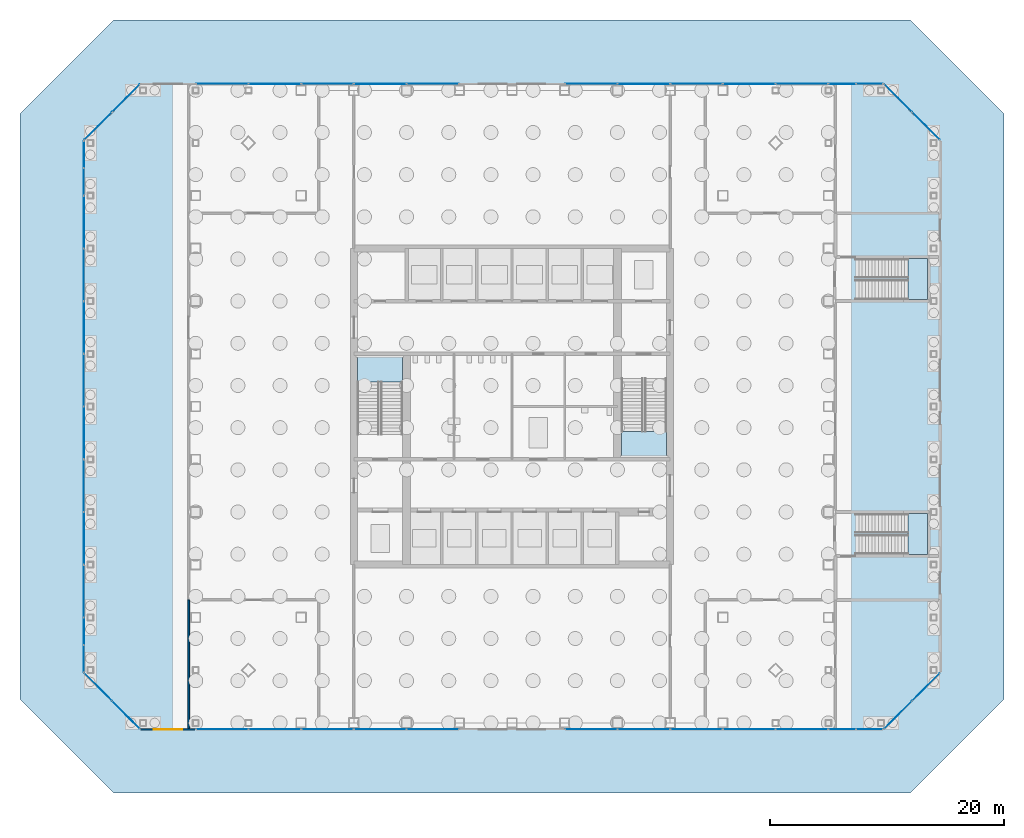
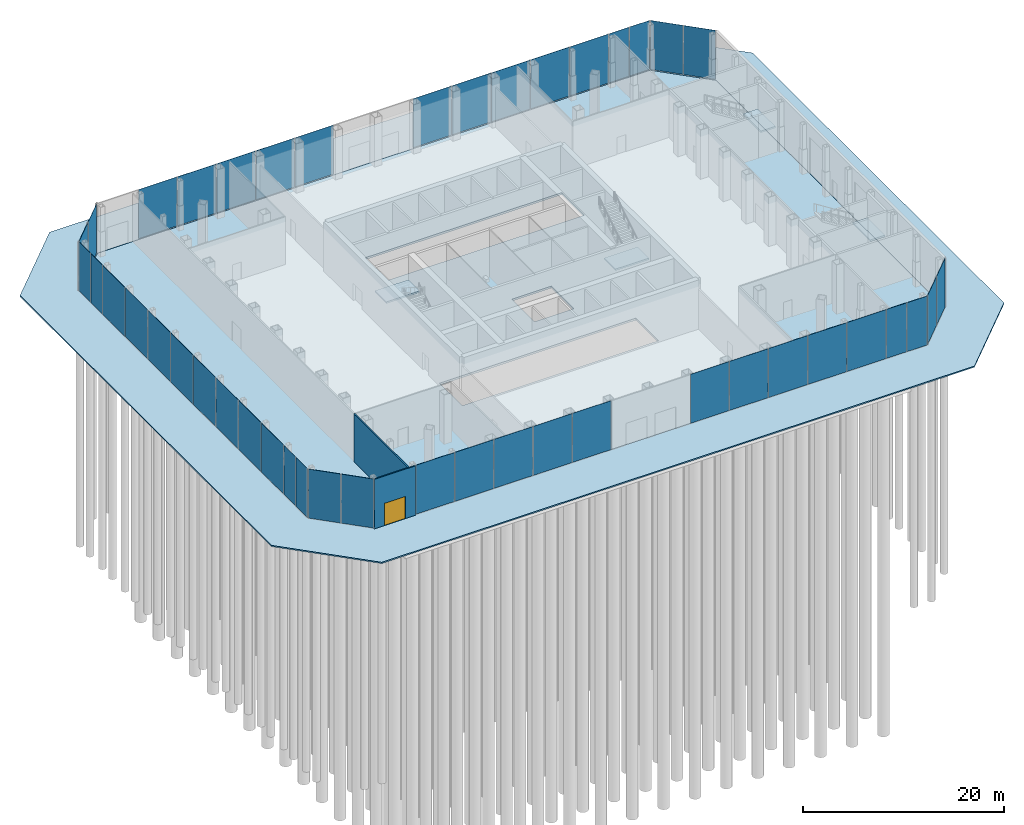
# One storey, part 16 of 24: 44 plates, 6 slabs, 2 walls, 1 door, 1 opening, 13 elements without a shape of their own.
"""IFC4 building model written with IfcOpenShell, lengths in metres."""

from ifc_helpers import new_model, si_unit, direction, frame, frame_2d, origin, origin_2d, place, context, subcontext, project, spatial, polyline, rectangle, outline, extrude, material, layer, layer_set, type_object, element, fill, aggregate, save


model = new_model("IFC4")

# Units and contexts
model_context = context("Model", 3, precision=1e-05, world=origin(), true_north=direction((0.0, 1.0)))
body_context = subcontext(model_context, "Body", "Model", "MODEL_VIEW")
ifc_project = project(units=[si_unit("LENGTHUNIT", "METRE"), si_unit("AREAUNIT", "SQUARE_METRE"), si_unit("VOLUMEUNIT", "CUBIC_METRE"), si_unit("PLANEANGLEUNIT", "RADIAN"), si_unit("MASSUNIT", "GRAM", prefix="KILO")], contexts=[model_context])

# Site, building, storey
site_placement = place(None, origin())
site = spatial("IfcSite", under=ifc_project, at=site_placement, CompositionType="ELEMENT")
building_placement = place(site_placement, origin())
building = spatial("IfcBuilding", under=site, at=building_placement, Name="Corais Broadcast Tower", CompositionType="ELEMENT")
storey_placement = place(building_placement, origin())
storey = spatial("IfcBuildingStorey", under=building, at=storey_placement, Name="L00", CompositionType="ELEMENT", Elevation=0.0)

# Curtain wall, plate
ifc_material_1 = material(Name="Aluminium and glass", Category="aluminium")
curtain_wall_type = type_object("IfcCurtainWallType", Name="Storefront curtain wall CW5", PredefinedType="NOTDEFINED", material=ifc_material_1)
curtain_wall_1_placement = place(storey_placement, origin())
curtain_wall_1 = element("IfcCurtainWall", 1, at=curtain_wall_1_placement, inside=storey, type_object=curtain_wall_type, Name="CW5 curtain wall L00 1", PredefinedType="NOTDEFINED")
ifc_material_2 = material(Name="Ceramic-fritted laminated glass", Category="glass")
ifc_layer_1 = layer(ifc_material_2, 0.02392578125)
ifc_layer_set_1 = layer_set([ifc_layer_1], Name="Ceramic-fritted laminated glass")
plate_type_1 = type_object("IfcPlateType", Name="Fritted glass panel CW5", PredefinedType="CURTAIN_PANEL", material=ifc_layer_set_1)
plate_1_placement = place(storey_placement, frame((-5.94384765625, 0.666259765625, 0.06005859375), z_axis=(0.0, 0.0, 1.0), x_axis=(-0.707106781187, 0.707106781187, 0.0)))
plate_1 = element("IfcPlate", 2, at=plate_1_placement, type_object=plate_type_1, Name="CW5 panel 1", PredefinedType="CURTAIN_PANEL", context=body_context, shape_type="SweptSolid", body=[
    extrude(rectangle(XDim=3.31982421875, YDim=0.02392578125, at=origin_2d()), origin(), (0.0, 0.0, 1.0), 5.93994140625),
])

# Curtain wall, plates
curtain_wall_2_placement = place(storey_placement, origin())
curtain_wall_2 = element("IfcCurtainWall", 3, at=curtain_wall_2_placement, inside=storey, type_object=curtain_wall_type, Name="CW5 curtain wall L00 2", PredefinedType="NOTDEFINED")
plate_2_placement = place(storey_placement, frame((-9.550048828125, 5.46923828125, 0.06005859375), z_axis=(0.0, 0.0, 1.0), x_axis=(0.0, 1.0, 0.0)))
plate_2 = element("IfcPlate", 4, at=plate_2_placement, type_object=plate_type_1, Name="CW5 panel 1", PredefinedType="CURTAIN_PANEL", context=body_context, shape_type="SweptSolid", body=[
    extrude(rectangle(XDim=2.27392578125, YDim=0.02392578125, at=origin_2d()), origin(), (0.0, 0.0, 1.0), 5.93994140625),
])
plate_3_placement = place(storey_placement, frame((-9.550048828125, 11.25, 0.06005859375), z_axis=(0.0, 0.0, 1.0), x_axis=(0.0, 1.0, 0.0)))
plate_3 = element("IfcPlate", 5, at=plate_3_placement, type_object=plate_type_1, Name="CW5 panel 3", PredefinedType="CURTAIN_PANEL", context=body_context, shape_type="SweptSolid", body=[
    extrude(rectangle(XDim=4.43994140625, YDim=0.02392578125, at=origin_2d()), origin(), (0.0, 0.0, 1.0), 5.93994140625),
])
plate_4_placement = place(storey_placement, frame((-9.550048828125, 20.25, 0.06005859375), z_axis=(0.0, 0.0, 1.0), x_axis=(0.0, 1.0, 0.0)))
plate_4 = element("IfcPlate", 6, at=plate_4_placement, type_object=plate_type_1, Name="CW5 panel 5", PredefinedType="CURTAIN_PANEL", context=body_context, shape_type="SweptSolid", body=[
    extrude(rectangle(XDim=4.43994140625, YDim=0.02392578125, at=origin_2d()), origin(), (0.0, 0.0, 1.0), 5.93994140625),
])
plate_5_placement = place(storey_placement, frame((-9.550048828125, 29.25, 0.06005859375), z_axis=(0.0, 0.0, 1.0), x_axis=(0.0, 1.0, 0.0)))
plate_5 = element("IfcPlate", 7, at=plate_5_placement, type_object=plate_type_1, Name="CW5 panel 7", PredefinedType="CURTAIN_PANEL", context=body_context, shape_type="SweptSolid", body=[
    extrude(rectangle(XDim=4.43994140625, YDim=0.02392578125, at=origin_2d()), origin(), (0.0, 0.0, 1.0), 5.93994140625),
])
plate_6_placement = place(storey_placement, frame((-9.550048828125, 38.25, 0.06005859375), z_axis=(0.0, 0.0, 1.0), x_axis=(0.0, 1.0, 0.0)))
plate_6 = element("IfcPlate", 8, at=plate_6_placement, type_object=plate_type_1, Name="CW5 panel 9", PredefinedType="CURTAIN_PANEL", context=body_context, shape_type="SweptSolid", body=[
    extrude(rectangle(XDim=4.43994140625, YDim=0.02392578125, at=origin_2d()), origin(), (0.0, 0.0, 1.0), 5.93994140625),
])
plate_7_placement = place(storey_placement, frame((-9.550048828125, 46.181884765625, 0.06005859375), z_axis=(0.0, 0.0, 1.0), x_axis=(0.0, 1.0, 0.0)))
plate_7 = element("IfcPlate", 9, at=plate_7_placement, type_object=plate_type_1, Name="CW5 panel 11", PredefinedType="CURTAIN_PANEL", context=body_context, shape_type="SweptSolid", body=[
    extrude(rectangle(XDim=2.303955078125, YDim=0.02392578125, at=origin_2d()), origin(), (0.0, 0.0, 1.0), 5.93994140625),
])

# Curtain wall, plate
curtain_wall_3_placement = place(storey_placement, origin())
curtain_wall_3 = element("IfcCurtainWall", 10, at=curtain_wall_3_placement, inside=storey, type_object=curtain_wall_type, Name="CW5 curtain wall L00 3", PredefinedType="NOTDEFINED")
plate_8_placement = place(storey_placement, frame((-8.333740234375, 50.94384765625, 0.06005859375), z_axis=(0.0, 0.0, 1.0), x_axis=(0.707106781187, 0.707106781187, 0.0)))
plate_8 = element("IfcPlate", 11, at=plate_8_placement, type_object=plate_type_1, Name="CW5 panel 1", PredefinedType="CURTAIN_PANEL", context=body_context, shape_type="SweptSolid", body=[
    extrude(rectangle(XDim=3.31982421875, YDim=0.02392578125, at=origin_2d()), origin(), (0.0, 0.0, 1.0), 5.93994140625),
])

# Curtain wall, plates
curtain_wall_4_placement = place(storey_placement, origin())
curtain_wall_4 = element("IfcCurtainWall", 12, at=curtain_wall_4_placement, inside=storey, type_object=curtain_wall_type, Name="CW5 curtain wall L00 4", PredefinedType="NOTDEFINED")
plate_9_placement = place(storey_placement, frame((2.264892578125, 54.550048828125, 0.06005859375), z_axis=(0.0, 0.0, 1.0), x_axis=(1.0, 0.0, 0.0)))
plate_9 = element("IfcPlate", 13, at=plate_9_placement, type_object=plate_type_1, Name="CW5 panel 1", PredefinedType="CURTAIN_PANEL", context=body_context, shape_type="SweptSolid", body=[
    extrude(rectangle(XDim=4.409912109375, YDim=0.02392578125, at=origin_2d()), origin(), (0.0, 0.0, 1.0), 5.93994140625),
])
plate_10_placement = place(storey_placement, frame((11.25, 54.550048828125, 0.06005859375), z_axis=(0.0, 0.0, 1.0), x_axis=(1.0, 0.0, 0.0)))
plate_10 = element("IfcPlate", 14, at=plate_10_placement, type_object=plate_type_1, Name="CW5 panel 3", PredefinedType="CURTAIN_PANEL", context=body_context, shape_type="SweptSolid", body=[
    extrude(rectangle(XDim=4.43994140625, YDim=0.02392578125, at=origin_2d()), origin(), (0.0, 0.0, 1.0), 5.93994140625),
])
plate_11_placement = place(storey_placement, frame((20.235107421875, 54.550048828125, 0.06005859375), z_axis=(0.0, 0.0, 1.0), x_axis=(1.0, 0.0, 0.0)))
plate_11 = element("IfcPlate", 15, at=plate_11_placement, type_object=plate_type_1, Name="CW5 panel 5", PredefinedType="CURTAIN_PANEL", context=body_context, shape_type="SweptSolid", body=[
    extrude(rectangle(XDim=4.409912109375, YDim=0.02392578125, at=origin_2d()), origin(), (0.0, 0.0, 1.0), 5.93994140625),
])

curtain_wall_5_placement = place(storey_placement, origin())
curtain_wall_5 = element("IfcCurtainWall", 16, at=curtain_wall_5_placement, inside=storey, type_object=curtain_wall_type, Name="CW5 curtain wall L00 4", PredefinedType="NOTDEFINED")
plate_12_placement = place(storey_placement, frame((33.764892578125, 54.550048828125, 0.06005859375), z_axis=(0.0, 0.0, 1.0), x_axis=(1.0, 0.0, 0.0)))
plate_12 = element("IfcPlate", 17, at=plate_12_placement, type_object=plate_type_1, Name="CW5 panel 1", PredefinedType="CURTAIN_PANEL", context=body_context, shape_type="SweptSolid", body=[
    extrude(rectangle(XDim=4.409912109375, YDim=0.02392578125, at=origin_2d()), origin(), (0.0, 0.0, 1.0), 5.93994140625),
])
plate_13_placement = place(storey_placement, frame((42.75, 54.550048828125, 0.06005859375), z_axis=(0.0, 0.0, 1.0), x_axis=(1.0, 0.0, 0.0)))
plate_13 = element("IfcPlate", 18, at=plate_13_placement, type_object=plate_type_1, Name="CW5 panel 3", PredefinedType="CURTAIN_PANEL", context=body_context, shape_type="SweptSolid", body=[
    extrude(rectangle(XDim=4.43994140625, YDim=0.02392578125, at=origin_2d()), origin(), (0.0, 0.0, 1.0), 5.93994140625),
])
plate_14_placement = place(storey_placement, frame((51.75, 54.550048828125, 0.06005859375), z_axis=(0.0, 0.0, 1.0), x_axis=(1.0, 0.0, 0.0)))
plate_14 = element("IfcPlate", 19, at=plate_14_placement, type_object=plate_type_1, Name="CW5 panel 5", PredefinedType="CURTAIN_PANEL", context=body_context, shape_type="SweptSolid", body=[
    extrude(rectangle(XDim=4.43994140625, YDim=0.02392578125, at=origin_2d()), origin(), (0.0, 0.0, 1.0), 5.93994140625),
])
plate_15_placement = place(storey_placement, frame((57.53076171875, 54.550048828125, 0.06005859375), z_axis=(0.0, 0.0, 1.0), x_axis=(1.0, 0.0, 0.0)))
plate_15 = element("IfcPlate", 20, at=plate_15_placement, type_object=plate_type_1, Name="CW5 panel 7", PredefinedType="CURTAIN_PANEL", context=body_context, shape_type="SweptSolid", body=[
    extrude(rectangle(XDim=2.27392578125, YDim=0.02392578125, at=origin_2d()), origin(), (0.0, 0.0, 1.0), 5.93994140625),
])

# Curtain wall, plate
curtain_wall_6_placement = place(storey_placement, origin())
curtain_wall_6 = element("IfcCurtainWall", 21, at=curtain_wall_6_placement, inside=storey, type_object=curtain_wall_type, Name="CW5 curtain wall L00 5", PredefinedType="NOTDEFINED")
plate_16_placement = place(storey_placement, frame((59.94384765625, 53.333740234375, 0.06005859375), z_axis=(0.0, 0.0, 1.0), x_axis=(0.707106781187, -0.707106781187, 0.0)))
plate_16 = element("IfcPlate", 22, at=plate_16_placement, type_object=plate_type_1, Name="CW5 panel 1", PredefinedType="CURTAIN_PANEL", context=body_context, shape_type="SweptSolid", body=[
    extrude(rectangle(XDim=3.31982421875, YDim=0.02392578125, at=origin_2d()), origin(), (0.0, 0.0, 1.0), 5.93994140625),
])

curtain_wall_7_placement = place(storey_placement, origin())
curtain_wall_7 = element("IfcCurtainWall", 23, at=curtain_wall_7_placement, inside=storey, type_object=curtain_wall_type, Name="CW5 curtain wall L00 7", PredefinedType="NOTDEFINED")
plate_17_placement = place(storey_placement, frame((62.333740234375, 3.05615234375, 0.06005859375), z_axis=(0.0, 0.0, 1.0), x_axis=(-0.707106781187, -0.707106781187, 0.0)))
plate_17 = element("IfcPlate", 24, at=plate_17_placement, type_object=plate_type_1, Name="CW5 panel 1", PredefinedType="CURTAIN_PANEL", context=body_context, shape_type="SweptSolid", body=[
    extrude(rectangle(XDim=3.31982421875, YDim=0.02392578125, at=origin_2d()), origin(), (0.0, 0.0, 1.0), 5.93994140625),
])

# Curtain wall, plates
curtain_wall_8_placement = place(storey_placement, origin())
curtain_wall_8 = element("IfcCurtainWall", 25, at=curtain_wall_8_placement, inside=storey, type_object=curtain_wall_type, Name="CW5 curtain wall L00 8", PredefinedType="NOTDEFINED")
plate_18_placement = place(storey_placement, frame((57.53076171875, -0.550048828125, 0.06005859375), z_axis=(0.0, 0.0, 1.0), x_axis=(-1.0, 0.0, 0.0)))
plate_18 = element("IfcPlate", 26, at=plate_18_placement, type_object=plate_type_1, Name="CW5 panel 1", PredefinedType="CURTAIN_PANEL", context=body_context, shape_type="SweptSolid", body=[
    extrude(rectangle(XDim=2.27392578125, YDim=0.02392578125, at=origin_2d()), origin(), (0.0, 0.0, 1.0), 5.93994140625),
])
plate_19_placement = place(storey_placement, frame((51.75, -0.550048828125, 0.06005859375), z_axis=(0.0, 0.0, 1.0), x_axis=(-1.0, 0.0, 0.0)))
plate_19 = element("IfcPlate", 27, at=plate_19_placement, type_object=plate_type_1, Name="CW5 panel 3", PredefinedType="CURTAIN_PANEL", context=body_context, shape_type="SweptSolid", body=[
    extrude(rectangle(XDim=4.43994140625, YDim=0.02392578125, at=origin_2d()), origin(), (0.0, 0.0, 1.0), 5.93994140625),
])
plate_20_placement = place(storey_placement, frame((42.75, -0.550048828125, 0.06005859375), z_axis=(0.0, 0.0, 1.0), x_axis=(-1.0, 0.0, 0.0)))
plate_20 = element("IfcPlate", 28, at=plate_20_placement, type_object=plate_type_1, Name="CW5 panel 5", PredefinedType="CURTAIN_PANEL", context=body_context, shape_type="SweptSolid", body=[
    extrude(rectangle(XDim=4.43994140625, YDim=0.02392578125, at=origin_2d()), origin(), (0.0, 0.0, 1.0), 5.93994140625),
])
plate_21_placement = place(storey_placement, frame((33.764892578125, -0.550048828125, 0.06005859375), z_axis=(0.0, 0.0, 1.0), x_axis=(-1.0, 0.0, 0.0)))
plate_21 = element("IfcPlate", 29, at=plate_21_placement, type_object=plate_type_1, Name="CW5 panel 7", PredefinedType="CURTAIN_PANEL", context=body_context, shape_type="SweptSolid", body=[
    extrude(rectangle(XDim=4.409912109375, YDim=0.02392578125, at=origin_2d()), origin(), (0.0, 0.0, 1.0), 5.93994140625),
])

curtain_wall_9_placement = place(storey_placement, origin())
curtain_wall_9 = element("IfcCurtainWall", 30, at=curtain_wall_9_placement, inside=storey, type_object=curtain_wall_type, Name="CW5 curtain wall L00 8", PredefinedType="NOTDEFINED")
plate_22_placement = place(storey_placement, frame((20.235107421875, -0.550048828125, 0.06005859375), z_axis=(0.0, 0.0, 1.0), x_axis=(-1.0, 0.0, 0.0)))
plate_22 = element("IfcPlate", 31, at=plate_22_placement, type_object=plate_type_1, Name="CW5 panel 1", PredefinedType="CURTAIN_PANEL", context=body_context, shape_type="SweptSolid", body=[
    extrude(rectangle(XDim=4.409912109375, YDim=0.02392578125, at=origin_2d()), origin(), (0.0, 0.0, 1.0), 5.93994140625),
])
plate_23_placement = place(storey_placement, frame((11.25, -0.550048828125, 0.06005859375), z_axis=(0.0, 0.0, 1.0), x_axis=(-1.0, 0.0, 0.0)))
plate_23 = element("IfcPlate", 32, at=plate_23_placement, type_object=plate_type_1, Name="CW5 panel 3", PredefinedType="CURTAIN_PANEL", context=body_context, shape_type="SweptSolid", body=[
    extrude(rectangle(XDim=4.43994140625, YDim=0.02392578125, at=origin_2d()), origin(), (0.0, 0.0, 1.0), 5.93994140625),
])
plate_24_placement = place(storey_placement, frame((2.264892578125, -0.550048828125, 0.06005859375), z_axis=(0.0, 0.0, 1.0), x_axis=(-1.0, 0.0, 0.0)))
plate_24 = element("IfcPlate", 33, at=plate_24_placement, type_object=plate_type_1, Name="CW5 panel 5", PredefinedType="CURTAIN_PANEL", context=body_context, shape_type="SweptSolid", body=[
    extrude(rectangle(XDim=4.409912109375, YDim=0.02392578125, at=origin_2d()), origin(), (0.0, 0.0, 1.0), 5.93994140625),
])

# Slabs
ifc_material_3 = material(Name="Granite stone paving", Category="masonry")
ifc_layer_2 = layer(ifc_material_3, 0.14990234375)
ifc_layer_set_2 = layer_set([ifc_layer_2], Name="Granite stone paving")
slab_type_1 = type_object("IfcSlabType", Name="Granite paving 150", PredefinedType="USERDEFINED", material=ifc_layer_set_2)
slab_1_placement = place(storey_placement, frame((0.0, 0.0, -0.14990234375)))
element("IfcSlab", 34, at=slab_1_placement, inside=storey, type_object=slab_type_1, Name="PV1 street paving", ObjectType="PAVING", PredefinedType="USERDEFINED", context=body_context, shape_type="SweptSolid", body=[
    extrude(outline(polyline([(-6.9853515625, -6.0), (-15.0, 2.0146484375), (-15.0, 51.9853515625), (-6.9853515625, 60.0), (60.9853515625, 60.0), (69.0, 51.9853515625), (69.0, 2.0146484375), (60.9853515625, -6.0), (-6.9853515625, -6.0)]), holes=[polyline([(-4.69873046875, -0.47998046875), (-9.47998046875, 4.30126953125), (-9.47998046875, 49.69873046875), (-4.69873046875, 54.47998046875), (58.69873046875, 54.47998046875), (63.47998046875, 49.69873046875), (63.47998046875, 4.30126953125), (58.69873046875, -0.47998046875), (-4.69873046875, -0.47998046875)])]), origin(), (0.0, 0.0, 1.0), 0.14990234375),
])
ifc_material_4 = material(Name="Concrete C30/37", Category="concrete")
ifc_layer_3 = layer(ifc_material_4, 0.25)
ifc_layer_set_3 = layer_set([ifc_layer_3], Name="Concrete C30/37")
slab_type_2 = type_object("IfcSlabType", Name="Ground floor slab 250", PredefinedType="BASESLAB", material=ifc_layer_set_3)
slab_2_placement = place(storey_placement, frame((0.0, 0.0, -0.25)))
element("IfcSlab", 35, at=slab_2_placement, inside=storey, type_object=slab_type_2, Name="GS1 ground floor slab", PredefinedType="BASESLAB", context=body_context, shape_type="SweptSolid", body=[
    extrude(outline(polyline([(-4.69873046875, -0.47998046875), (-9.47998046875, 4.30126953125), (-9.47998046875, 49.69873046875), (-4.69873046875, 54.47998046875), (58.69873046875, 54.47998046875), (63.47998046875, 49.69873046875), (63.47998046875, 4.30126953125), (58.69873046875, -0.47998046875), (-4.69873046875, -0.47998046875)]), holes=[polyline([(13.5, 18.0), (36.0, 18.0), (36.0, 13.5), (13.5, 13.5), (13.5, 18.0)]), polyline([(40.5, 36.0), (18.0, 36.0), (18.0, 40.5), (40.5, 40.5), (40.5, 36.0)]), polyline([(27.0, 22.5), (27.0, 27.0), (31.5, 27.0), (31.5, 22.5), (27.0, 22.5)])]), origin(), (0.0, 0.0, 1.0), 0.25),
])

# Plate
ifc_material_5 = material(Name="Clear laminated glass", Category="glass")
ifc_layer_4 = layer(ifc_material_5, 0.028076171875)
ifc_layer_set_4 = layer_set([ifc_layer_4], Name="Clear laminated glass")
plate_type_2 = type_object("IfcPlateType", Name="Operable glass panel CW5", PredefinedType="CURTAIN_PANEL", material=ifc_layer_set_4)
plate_25_placement = place(storey_placement, frame((-8.333740234375, 3.05615234375, 0.06005859375), z_axis=(0.0, 0.0, 1.0), x_axis=(-0.707106781187, 0.707106781187, 0.0)))
plate_25 = element("IfcPlate", 36, at=plate_25_placement, type_object=plate_type_2, Name="CW5 operable panel 2", PredefinedType="CURTAIN_PANEL", context=body_context, shape_type="SweptSolid", body=[
    extrude(rectangle(XDim=3.31982421875, YDim=0.028076171875, at=origin_2d()), origin(), (0.0, 0.0, 1.0), 5.93994140625),
])

aggregate(curtain_wall_1, [plate_1, plate_25])

plate_26_placement = place(storey_placement, frame((-9.550048828125, 7.818115234375, 0.06005859375), z_axis=(0.0, 0.0, 1.0), x_axis=(0.0, 1.0, 0.0)))
plate_26 = element("IfcPlate", 37, at=plate_26_placement, type_object=plate_type_2, Name="CW5 operable panel 2", PredefinedType="CURTAIN_PANEL", context=body_context, shape_type="SweptSolid", body=[
    extrude(rectangle(XDim=2.303955078125, YDim=0.028076171875, at=origin_2d()), origin(), (0.0, 0.0, 1.0), 5.93994140625),
])

plate_27_placement = place(storey_placement, frame((-9.550048828125, 15.75, 0.06005859375), z_axis=(0.0, 0.0, 1.0), x_axis=(0.0, 1.0, 0.0)))
plate_27 = element("IfcPlate", 38, at=plate_27_placement, type_object=plate_type_2, Name="CW5 operable panel 4", PredefinedType="CURTAIN_PANEL", context=body_context, shape_type="SweptSolid", body=[
    extrude(rectangle(XDim=4.43994140625, YDim=0.028076171875, at=origin_2d()), origin(), (0.0, 0.0, 1.0), 5.93994140625),
])

plate_28_placement = place(storey_placement, frame((-9.550048828125, 24.75, 0.06005859375), z_axis=(0.0, 0.0, 1.0), x_axis=(0.0, 1.0, 0.0)))
plate_28 = element("IfcPlate", 39, at=plate_28_placement, type_object=plate_type_2, Name="CW5 operable panel 6", PredefinedType="CURTAIN_PANEL", context=body_context, shape_type="SweptSolid", body=[
    extrude(rectangle(XDim=4.43994140625, YDim=0.028076171875, at=origin_2d()), origin(), (0.0, 0.0, 1.0), 5.93994140625),
])

plate_29_placement = place(storey_placement, frame((-9.550048828125, 33.75, 0.06005859375), z_axis=(0.0, 0.0, 1.0), x_axis=(0.0, 1.0, 0.0)))
plate_29 = element("IfcPlate", 40, at=plate_29_placement, type_object=plate_type_2, Name="CW5 operable panel 8", PredefinedType="CURTAIN_PANEL", context=body_context, shape_type="SweptSolid", body=[
    extrude(rectangle(XDim=4.43994140625, YDim=0.028076171875, at=origin_2d()), origin(), (0.0, 0.0, 1.0), 5.93994140625),
])

plate_30_placement = place(storey_placement, frame((-9.550048828125, 42.75, 0.06005859375), z_axis=(0.0, 0.0, 1.0), x_axis=(0.0, 1.0, 0.0)))
plate_30 = element("IfcPlate", 41, at=plate_30_placement, type_object=plate_type_2, Name="CW5 operable panel 10", PredefinedType="CURTAIN_PANEL", context=body_context, shape_type="SweptSolid", body=[
    extrude(rectangle(XDim=4.43994140625, YDim=0.028076171875, at=origin_2d()), origin(), (0.0, 0.0, 1.0), 5.93994140625),
])

plate_31_placement = place(storey_placement, frame((-9.550048828125, 48.53076171875, 0.06005859375), z_axis=(0.0, 0.0, 1.0), x_axis=(0.0, 1.0, 0.0)))
plate_31 = element("IfcPlate", 42, at=plate_31_placement, type_object=plate_type_2, Name="CW5 operable panel 12", PredefinedType="CURTAIN_PANEL", context=body_context, shape_type="SweptSolid", body=[
    extrude(rectangle(XDim=2.27392578125, YDim=0.028076171875, at=origin_2d()), origin(), (0.0, 0.0, 1.0), 5.93994140625),
])

aggregate(curtain_wall_2, [plate_2, plate_26, plate_3, plate_27, plate_4, plate_28, plate_5, plate_29, plate_6, plate_30, plate_7, plate_31])

plate_32_placement = place(storey_placement, frame((-5.94384765625, 53.333740234375, 0.06005859375), z_axis=(0.0, 0.0, 1.0), x_axis=(0.707106781187, 0.707106781187, 0.0)))
plate_32 = element("IfcPlate", 43, at=plate_32_placement, type_object=plate_type_2, Name="CW5 operable panel 2", PredefinedType="CURTAIN_PANEL", context=body_context, shape_type="SweptSolid", body=[
    extrude(rectangle(XDim=3.31982421875, YDim=0.028076171875, at=origin_2d()), origin(), (0.0, 0.0, 1.0), 5.93994140625),
])

aggregate(curtain_wall_3, [plate_8, plate_32])

plate_33_placement = place(storey_placement, frame((6.75, 54.550048828125, 0.06005859375), z_axis=(0.0, 0.0, 1.0), x_axis=(1.0, 0.0, 0.0)))
plate_33 = element("IfcPlate", 44, at=plate_33_placement, type_object=plate_type_2, Name="CW5 operable panel 2", PredefinedType="CURTAIN_PANEL", context=body_context, shape_type="SweptSolid", body=[
    extrude(rectangle(XDim=4.43994140625, YDim=0.028076171875, at=origin_2d()), origin(), (0.0, 0.0, 1.0), 5.93994140625),
])

plate_34_placement = place(storey_placement, frame((15.75, 54.550048828125, 0.06005859375), z_axis=(0.0, 0.0, 1.0), x_axis=(1.0, 0.0, 0.0)))
plate_34 = element("IfcPlate", 45, at=plate_34_placement, type_object=plate_type_2, Name="CW5 operable panel 4", PredefinedType="CURTAIN_PANEL", context=body_context, shape_type="SweptSolid", body=[
    extrude(rectangle(XDim=4.43994140625, YDim=0.028076171875, at=origin_2d()), origin(), (0.0, 0.0, 1.0), 5.93994140625),
])

aggregate(curtain_wall_4, [plate_9, plate_33, plate_10, plate_34, plate_11])

plate_35_placement = place(storey_placement, frame((38.25, 54.550048828125, 0.06005859375), z_axis=(0.0, 0.0, 1.0), x_axis=(1.0, 0.0, 0.0)))
plate_35 = element("IfcPlate", 46, at=plate_35_placement, type_object=plate_type_2, Name="CW5 operable panel 2", PredefinedType="CURTAIN_PANEL", context=body_context, shape_type="SweptSolid", body=[
    extrude(rectangle(XDim=4.43994140625, YDim=0.028076171875, at=origin_2d()), origin(), (0.0, 0.0, 1.0), 5.93994140625),
])

plate_36_placement = place(storey_placement, frame((47.25, 54.550048828125, 0.06005859375), z_axis=(0.0, 0.0, 1.0), x_axis=(1.0, 0.0, 0.0)))
plate_36 = element("IfcPlate", 47, at=plate_36_placement, type_object=plate_type_2, Name="CW5 operable panel 4", PredefinedType="CURTAIN_PANEL", context=body_context, shape_type="SweptSolid", body=[
    extrude(rectangle(XDim=4.43994140625, YDim=0.028076171875, at=origin_2d()), origin(), (0.0, 0.0, 1.0), 5.93994140625),
])

plate_37_placement = place(storey_placement, frame((55.181884765625, 54.550048828125, 0.06005859375), z_axis=(0.0, 0.0, 1.0), x_axis=(1.0, 0.0, 0.0)))
plate_37 = element("IfcPlate", 48, at=plate_37_placement, type_object=plate_type_2, Name="CW5 operable panel 6", PredefinedType="CURTAIN_PANEL", context=body_context, shape_type="SweptSolid", body=[
    extrude(rectangle(XDim=2.303955078125, YDim=0.028076171875, at=origin_2d()), origin(), (0.0, 0.0, 1.0), 5.93994140625),
])

aggregate(curtain_wall_5, [plate_12, plate_35, plate_13, plate_36, plate_14, plate_37, plate_15])

plate_38_placement = place(storey_placement, frame((62.333740234375, 50.94384765625, 0.06005859375), z_axis=(0.0, 0.0, 1.0), x_axis=(0.707106781187, -0.707106781187, 0.0)))
plate_38 = element("IfcPlate", 49, at=plate_38_placement, type_object=plate_type_2, Name="CW5 operable panel 2", PredefinedType="CURTAIN_PANEL", context=body_context, shape_type="SweptSolid", body=[
    extrude(rectangle(XDim=3.31982421875, YDim=0.028076171875, at=origin_2d()), origin(), (0.0, 0.0, 1.0), 5.93994140625),
])

aggregate(curtain_wall_6, [plate_16, plate_38])

plate_39_placement = place(storey_placement, frame((59.94384765625, 0.666259765625, 0.06005859375), z_axis=(0.0, 0.0, 1.0), x_axis=(-0.707106781187, -0.707106781187, 0.0)))
plate_39 = element("IfcPlate", 50, at=plate_39_placement, type_object=plate_type_2, Name="CW5 operable panel 2", PredefinedType="CURTAIN_PANEL", context=body_context, shape_type="SweptSolid", body=[
    extrude(rectangle(XDim=3.31982421875, YDim=0.028076171875, at=origin_2d()), origin(), (0.0, 0.0, 1.0), 5.93994140625),
])

aggregate(curtain_wall_7, [plate_17, plate_39])

plate_40_placement = place(storey_placement, frame((55.181884765625, -0.550048828125, 0.06005859375), z_axis=(0.0, 0.0, 1.0), x_axis=(-1.0, 0.0, 0.0)))
plate_40 = element("IfcPlate", 51, at=plate_40_placement, type_object=plate_type_2, Name="CW5 operable panel 2", PredefinedType="CURTAIN_PANEL", context=body_context, shape_type="SweptSolid", body=[
    extrude(rectangle(XDim=2.303955078125, YDim=0.028076171875, at=origin_2d()), origin(), (0.0, 0.0, 1.0), 5.93994140625),
])

plate_41_placement = place(storey_placement, frame((47.25, -0.550048828125, 0.06005859375), z_axis=(0.0, 0.0, 1.0), x_axis=(-1.0, 0.0, 0.0)))
plate_41 = element("IfcPlate", 52, at=plate_41_placement, type_object=plate_type_2, Name="CW5 operable panel 4", PredefinedType="CURTAIN_PANEL", context=body_context, shape_type="SweptSolid", body=[
    extrude(rectangle(XDim=4.43994140625, YDim=0.028076171875, at=origin_2d()), origin(), (0.0, 0.0, 1.0), 5.93994140625),
])

plate_42_placement = place(storey_placement, frame((38.25, -0.550048828125, 0.06005859375), z_axis=(0.0, 0.0, 1.0), x_axis=(-1.0, 0.0, 0.0)))
plate_42 = element("IfcPlate", 53, at=plate_42_placement, type_object=plate_type_2, Name="CW5 operable panel 6", PredefinedType="CURTAIN_PANEL", context=body_context, shape_type="SweptSolid", body=[
    extrude(rectangle(XDim=4.43994140625, YDim=0.028076171875, at=origin_2d()), origin(), (0.0, 0.0, 1.0), 5.93994140625),
])

aggregate(curtain_wall_8, [plate_18, plate_40, plate_19, plate_41, plate_20, plate_42, plate_21])

plate_43_placement = place(storey_placement, frame((15.75, -0.550048828125, 0.06005859375), z_axis=(0.0, 0.0, 1.0), x_axis=(-1.0, 0.0, 0.0)))
plate_43 = element("IfcPlate", 54, at=plate_43_placement, type_object=plate_type_2, Name="CW5 operable panel 2", PredefinedType="CURTAIN_PANEL", context=body_context, shape_type="SweptSolid", body=[
    extrude(rectangle(XDim=4.43994140625, YDim=0.028076171875, at=origin_2d()), origin(), (0.0, 0.0, 1.0), 5.93994140625),
])

plate_44_placement = place(storey_placement, frame((6.75, -0.550048828125, 0.06005859375), z_axis=(0.0, 0.0, 1.0), x_axis=(-1.0, 0.0, 0.0)))
plate_44 = element("IfcPlate", 55, at=plate_44_placement, type_object=plate_type_2, Name="CW5 operable panel 4", PredefinedType="CURTAIN_PANEL", context=body_context, shape_type="SweptSolid", body=[
    extrude(rectangle(XDim=4.43994140625, YDim=0.028076171875, at=origin_2d()), origin(), (0.0, 0.0, 1.0), 5.93994140625),
])

aggregate(curtain_wall_9, [plate_22, plate_43, plate_23, plate_44, plate_24])

# Stair, slab
ifc_material_6 = material(Name="Concrete C30/37", Category="concrete")
stair_type_1 = type_object("IfcStairType", Name="Half-turn stair 6000", PredefinedType="HALF_TURN_STAIR", material=ifc_material_6)
stair_1_placement = place(storey_placement, origin())
stair_1 = element("IfcStair", 56, at=stair_1_placement, inside=storey, type_object=stair_type_1, Name="Stair A L00", PredefinedType="HALF_TURN_STAIR")
ifc_material_7 = material(Name="Concrete C30/37", Category="concrete")
ifc_layer_5 = layer(ifc_material_7, 0.199951171875)
ifc_layer_set_5 = layer_set([ifc_layer_5], Name="Concrete C30/37")
slab_type_3 = type_object("IfcSlabType", Name="Stair landing 200", PredefinedType="LANDING", material=ifc_layer_set_5)
slab_3_placement = place(storey_placement, frame((0.0, 0.0, 2.800048828125)))
slab_3 = element("IfcSlab", 57, at=slab_3_placement, type_object=slab_type_3, Name="STA landing 1", PredefinedType="LANDING", context=body_context, shape_type="SweptSolid", body=[
    extrude(outline(polyline([(13.800048828125, 29.112060546875), (17.64990234375, 29.112060546875), (17.64990234375, 31.35009765625), (13.800048828125, 31.35009765625), (13.800048828125, 29.112060546875)])), origin(), (0.0, 0.0, 1.0), 0.199951171875),
])
aggregate(stair_1, [slab_3])

stair_2_placement = place(storey_placement, origin())
stair_2 = element("IfcStair", 58, at=stair_2_placement, inside=storey, type_object=stair_type_1, Name="Stair B L00", PredefinedType="HALF_TURN_STAIR")
slab_4_placement = place(storey_placement, frame((0.0, 0.0, 2.800048828125)))
slab_4 = element("IfcSlab", 59, at=slab_4_placement, type_object=slab_type_3, Name="STB landing 1", PredefinedType="LANDING", context=body_context, shape_type="SweptSolid", body=[
    extrude(outline(polyline([(36.35009765625, 22.64990234375), (40.199951171875, 22.64990234375), (40.199951171875, 24.887939453125), (36.35009765625, 24.887939453125), (36.35009765625, 22.64990234375)])), origin(), (0.0, 0.0, 1.0), 0.199951171875),
])
aggregate(stair_2, [slab_4])

ifc_material_8 = material(Name="Concrete C30/37", Category="concrete")
stair_type_2 = type_object("IfcStairType", Name="Podium half-turn stair 6000", PredefinedType="HALF_TURN_STAIR", material=ifc_material_8)
stair_3_placement = place(storey_placement, origin())
stair_3 = element("IfcStair", 60, at=stair_3_placement, inside=storey, type_object=stair_type_2, Name="Stair D L00", PredefinedType="HALF_TURN_STAIR")
slab_5_placement = place(storey_placement, frame((0.0, 0.0, 2.800048828125)))
slab_5 = element("IfcSlab", 61, at=slab_5_placement, type_object=slab_type_3, Name="STD landing 1", PredefinedType="LANDING", context=body_context, shape_type="SweptSolid", body=[
    extrude(outline(polyline([(60.804931640625, 14.375), (62.47509765625, 14.375), (62.47509765625, 17.875), (60.804931640625, 17.875), (60.804931640625, 14.375)])), origin(), (0.0, 0.0, 1.0), 0.199951171875),
])
aggregate(stair_3, [slab_5])

stair_4_placement = place(storey_placement, origin())
stair_4 = element("IfcStair", 62, at=stair_4_placement, inside=storey, type_object=stair_type_2, Name="Stair E L00", PredefinedType="HALF_TURN_STAIR")
slab_6_placement = place(storey_placement, frame((0.0, 0.0, 2.800048828125)))
slab_6 = element("IfcSlab", 63, at=slab_6_placement, type_object=slab_type_3, Name="STE landing 1", PredefinedType="LANDING", context=body_context, shape_type="SweptSolid", body=[
    extrude(outline(polyline([(60.804931640625, 36.125), (62.47509765625, 36.125), (62.47509765625, 39.625), (60.804931640625, 39.625), (60.804931640625, 36.125)])), origin(), (0.0, 0.0, 1.0), 0.199951171875),
])
aggregate(stair_4, [slab_6])

# Wall
ifc_material_9 = material(Name="Two layers of fire-rated gypsum board each side on steel studs", Category="steel")
ifc_layer_6 = layer(ifc_material_9, 0.14990234375)
ifc_layer_set_6 = layer_set([ifc_layer_6], Name="Two layers of fire-rated gypsum board each side on steel studs")
wall_type_1 = type_object("IfcWallType", Name="Fire-rated partition 150 EI 90", PredefinedType="PARTITIONING", material=ifc_layer_set_6)
wall_1_placement = place(storey_placement, frame((-0.60009765625, 10.5, 0.0), z_axis=(0.0, 0.0, 1.0), x_axis=(0.0, -1.0, 0.0)))
element("IfcWall", 64, at=wall_1_placement, inside=storey, type_object=wall_type_1, Name="IW8 partition L00", PredefinedType="PARTITIONING", context=body_context, shape_type="SweptSolid", body=[
    extrude(rectangle(XDim=10.97509765625, YDim=0.14990234375, at=frame_2d((5.487548828125, 0.0))), origin(), (0.0, 0.0, 1.0), 5.800048828125),
])

# Wall, opening, door
ifc_material_10 = material(Name="Clear laminated glass in stainless steel frame", Category="steel")
ifc_layer_7 = layer(ifc_material_10, 0.14990234375)
ifc_layer_set_7 = layer_set([ifc_layer_7], Name="Clear laminated glass in stainless steel frame")
wall_type_2 = type_object("IfcWallType", Name="Glazed entrance screen 150", PredefinedType="USERDEFINED", material=ifc_layer_set_7)
wall_2_placement = place(storey_placement, frame((-4.727783203125, -0.550048828125, 0.0), z_axis=(0.0, 0.0, 1.0), x_axis=(1.0, 0.0, 0.0)))
wall_2 = element("IfcWall", 65, at=wall_2_placement, inside=storey, type_object=wall_type_2, Name="ES1 screen wall L00", ObjectType="ENTRANCE SCREEN", PredefinedType="USERDEFINED", context=body_context, shape_type="SweptSolid", body=[
    extrude(rectangle(XDim=4.727783203125, YDim=0.14990234375, at=frame_2d((2.36376953125, 0.0))), origin(), (0.0, 0.0, 1.0), 6.0),
])
opening_placement = place(wall_2_placement, frame((1.163818359375, 0.0, 0.0)))
opening = element("IfcOpeningElement", 66, at=opening_placement, cuts=wall_2, Name="Opening ED1", PredefinedType="OPENING", context=body_context, shape_type="SweptSolid", body=[
    extrude(rectangle(XDim=2.39990234375, YDim=2.699951171875, at=frame_2d((1.199951171875, 1.35009765625))), frame((0.0, 0.0849609375, 0.0), z_axis=(0.0, -1.0, 0.0), x_axis=(1.0, 0.0, 0.0)), (0.0, 0.0, 1.0), 0.169921875),
])
ifc_material_11 = material(Name="Stainless steel and glass", Category="steel")
door_type = type_object("IfcDoorType", Name="Entrance double door 2400x2700", OperationType="DOUBLE_DOOR_SINGLE_SWING", PredefinedType="DOOR", material=ifc_material_11)
door_placement = place(opening_placement, origin())
door = element("IfcDoor", 67, at=door_placement, inside=storey, type_object=door_type, Name="ED1 ED-L00-0-0", OperationType="SINGLE_SWING_LEFT", OverallHeight=2.699951171875, OverallWidth=2.39990234375, PredefinedType="DOOR", context=body_context, shape_type="SweptSolid", body=[
    extrude(rectangle(XDim=2.39990234375, YDim=2.699951171875, at=frame_2d((1.199951171875, 1.35009765625))), frame((0.0, 0.02490234375, 0.0), z_axis=(0.0, -1.0, 0.0), x_axis=(1.0, 0.0, 0.0)), (0.0, 0.0, 1.0), 0.050048828125),
])
fill(opening, door)

save(model, "model.ifc")
